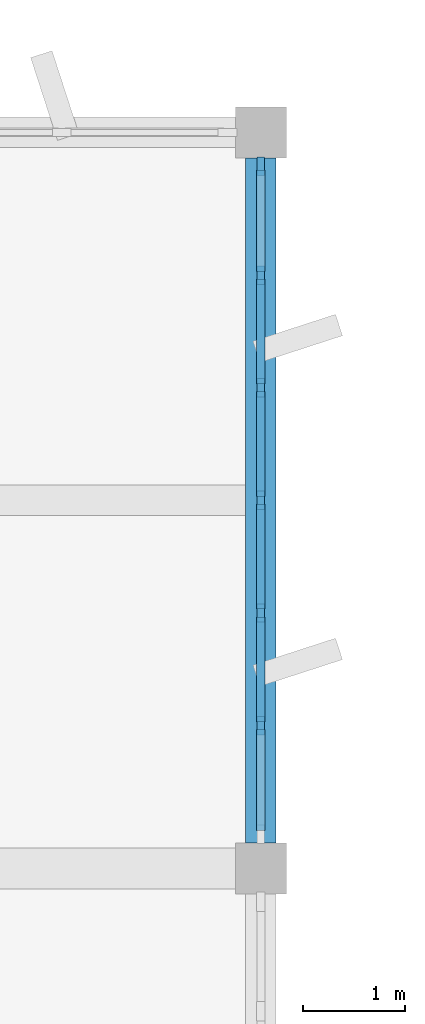
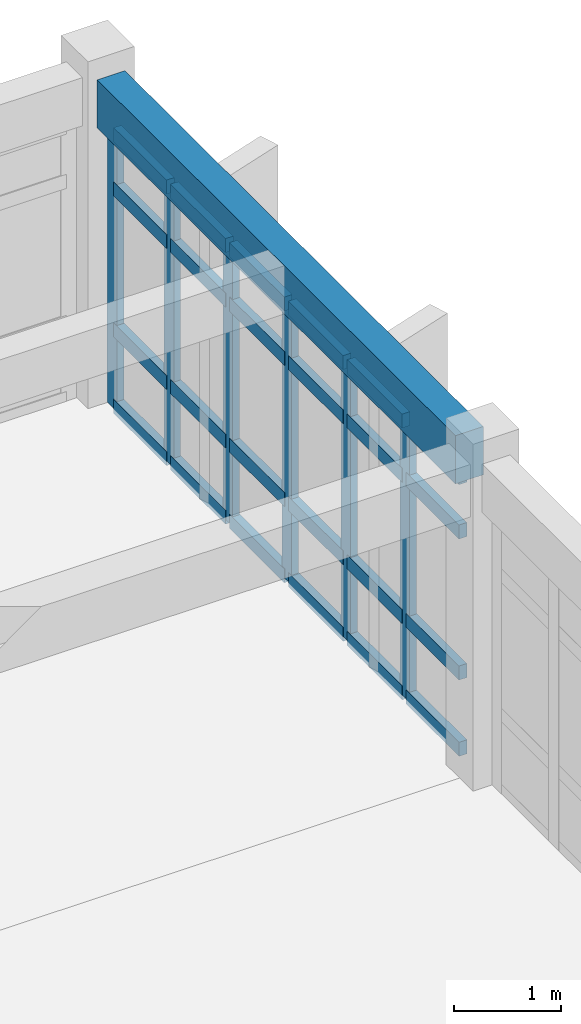
# One storey, part 20 of 40: 30 members, 1 beam, 1 element without a shape of its own.
"""IFC4 building model written with IfcOpenShell, lengths in metres."""

from ifc_helpers import new_model, si_unit, direction, frame, origin, origin_2d, place, context, subcontext, project, spatial, rectangle, extrude, material, layer, layer_set, material_profile, profile_set, type_object, element, aggregate, save


model = new_model("IFC4")

# Units and contexts
model_context = context("Model", 3, precision=1e-05, world=origin(), true_north=direction((0.0, 1.0)))
body_context = subcontext(model_context, "Body", "Model", "MODEL_VIEW")
ifc_project = project(units=[si_unit("LENGTHUNIT", "METRE"), si_unit("AREAUNIT", "SQUARE_METRE"), si_unit("VOLUMEUNIT", "CUBIC_METRE"), si_unit("PLANEANGLEUNIT", "RADIAN"), si_unit("MASSUNIT", "GRAM", prefix="KILO")], contexts=[model_context])

# Site, building, storey
site_placement = place(None, origin())
site = spatial("IfcSite", under=ifc_project, at=site_placement, CompositionType="ELEMENT")
building_placement = place(site_placement, origin())
building = spatial("IfcBuilding", under=site, at=building_placement, Name="Kavelor Marine Aquarium", CompositionType="ELEMENT")
storey_placement = place(building_placement, frame((0.0, 0.0, 17.639892578125)))
storey = spatial("IfcBuildingStorey", under=building, at=storey_placement, Name="L04", CompositionType="ELEMENT", Elevation=17.639892578125)

# Beam
ifc_material_1 = material(Name="Concrete C40/50", Category="concrete")
ifc_material_profile_1 = material_profile(ifc_material_1, rectangle(XDim=0.300048828125, YDim=0.550048828125, at=origin_2d()), Name="RC-SP 300x550")
ifc_profile_set_1 = profile_set([ifc_material_profile_1], Name="Concrete C40/50")
beam_type = type_object("IfcBeamType", Name="BM-SP2", PredefinedType="SPANDREL", material=ifc_profile_set_1)
beam_placement = place(storey_placement, frame((147.199951171875, 103.85009765625, 3.445068359375), z_axis=(0.0, 1.0, 0.0), x_axis=(-1.0, 0.0, 0.0)))
element("IfcBeam", 1, at=beam_placement, inside=storey, type_object=beam_type, Name="bm:y:L04:L05:20_14", PredefinedType="SPANDREL", context=body_context, shape_type="SweptSolid", body=[
    extrude(rectangle(XDim=0.300048828125, YDim=0.550048828125, at=origin_2d()), origin(), (0.0, 0.0, 1.0), 6.699951171875),
])

# Curtain wall, members
ifc_material_2 = material(Name="Thermally Broken Aluminium and Low-E Glass", Category="aluminium")
ifc_layer = layer(ifc_material_2, 0.172119140625)
ifc_layer_set = layer_set([ifc_layer], Name="CW-SYS4")
curtain_wall_type = type_object("IfcCurtainWallType", Name="CW-SYS4", PredefinedType="USERDEFINED", material=ifc_layer_set)
curtain_wall_placement = place(storey_placement, origin())
curtain_wall = element("IfcCurtainWall", 2, at=curtain_wall_placement, inside=storey, type_object=curtain_wall_type, Name="cw:y:L04:20_14", ObjectType="Curtain Wall", PredefinedType="USERDEFINED")
ifc_material_3 = material(Name="Anodised Aluminium Alloy 6063-T6", Category="aluminium")
ifc_material_profile_2 = material_profile(ifc_material_3, rectangle(XDim=0.074951171875, YDim=0.179931640625, at=origin_2d()), Name="CW-MUL 75x180")
ifc_profile_set_2 = profile_set([ifc_material_profile_2], Name="Anodised Aluminium Alloy 6063-T6")
member_type_1 = type_object("IfcMemberType", Name="CWM-1", PredefinedType="MULLION", material=ifc_profile_set_2)
member_1_placement = place(storey_placement, frame((147.199951171875, 104.99658203125, 0.0), z_axis=(0.0, 0.0, 1.0), x_axis=(-1.0, 0.0, 0.0)))
member_1 = element("IfcMember", 3, at=member_1_placement, type_object=member_type_1, Name="CW04 mullion 2", PredefinedType="MULLION", context=body_context, shape_type="SweptSolid", body=[
    extrude(rectangle(XDim=0.074951171875, YDim=0.179931640625, at=origin_2d()), origin(), (0.0, 0.0, 1.0), 3.16015625),
])
member_2_placement = place(storey_placement, frame((147.199951171875, 106.098388671875, 0.0), z_axis=(0.0, 0.0, 1.0), x_axis=(-1.0, 0.0, 0.0)))
member_2 = element("IfcMember", 4, at=member_2_placement, type_object=member_type_1, Name="CW04 mullion 3", PredefinedType="MULLION", context=body_context, shape_type="SweptSolid", body=[
    extrude(rectangle(XDim=0.074951171875, YDim=0.179931640625, at=origin_2d()), origin(), (0.0, 0.0, 1.0), 3.16015625),
])
member_3_placement = place(storey_placement, frame((147.199951171875, 107.199951171875, 0.0), z_axis=(0.0, 0.0, 1.0), x_axis=(-1.0, 0.0, 0.0)))
member_3 = element("IfcMember", 5, at=member_3_placement, type_object=member_type_1, Name="CW04 mullion 4", PredefinedType="MULLION", context=body_context, shape_type="SweptSolid", body=[
    extrude(rectangle(XDim=0.074951171875, YDim=0.179931640625, at=origin_2d()), origin(), (0.0, 0.0, 1.0), 3.16015625),
])
member_4_placement = place(storey_placement, frame((147.199951171875, 108.3017578125, 0.0), z_axis=(0.0, 0.0, 1.0), x_axis=(-1.0, 0.0, 0.0)))
member_4 = element("IfcMember", 6, at=member_4_placement, type_object=member_type_1, Name="CW04 mullion 5", PredefinedType="MULLION", context=body_context, shape_type="SweptSolid", body=[
    extrude(rectangle(XDim=0.074951171875, YDim=0.179931640625, at=origin_2d()), origin(), (0.0, 0.0, 1.0), 3.16015625),
])
member_5_placement = place(storey_placement, frame((147.199951171875, 109.4033203125, 0.0), z_axis=(0.0, 0.0, 1.0), x_axis=(-1.0, 0.0, 0.0)))
member_5 = element("IfcMember", 7, at=member_5_placement, type_object=member_type_1, Name="CW04 mullion 6", PredefinedType="MULLION", context=body_context, shape_type="SweptSolid", body=[
    extrude(rectangle(XDim=0.074951171875, YDim=0.179931640625, at=origin_2d()), origin(), (0.0, 0.0, 1.0), 3.16015625),
])
member_6_placement = place(storey_placement, frame((147.199951171875, 110.467529296875, 0.0), z_axis=(0.0, 0.0, 1.0), x_axis=(-1.0, 0.0, 0.0)))
member_6 = element("IfcMember", 8, at=member_6_placement, type_object=member_type_1, Name="CW04 mullion 7", PredefinedType="MULLION", context=body_context, shape_type="SweptSolid", body=[
    extrude(rectangle(XDim=0.074951171875, YDim=0.179931640625, at=origin_2d()), origin(), (0.0, 0.0, 1.0), 3.16015625),
])
ifc_material_4 = material(Name="Anodised Aluminium Alloy 6063-T6", Category="aluminium")
ifc_material_profile_3 = material_profile(ifc_material_4, rectangle(XDim=0.0849609375, YDim=0.159912109375, at=origin_2d()), Name="CW-TRN 85x160")
ifc_profile_set_3 = profile_set([ifc_material_profile_3], Name="Anodised Aluminium Alloy 6063-T6")
member_type_2 = type_object("IfcMemberType", Name="CWT-3", PredefinedType="USERDEFINED", material=ifc_profile_set_3)
member_7_placement = place(storey_placement, frame((147.199951171875, 103.969970703125, 0.030029296875), z_axis=(0.0, 1.0, 0.0), x_axis=(-1.0, 0.0, 0.0)))
member_7 = element("IfcMember", 9, at=member_7_placement, type_object=member_type_2, Name="CW04 transom 1.1", ObjectType="TRANSOM", PredefinedType="USERDEFINED", context=body_context, shape_type="SweptSolid", body=[
    extrude(rectangle(XDim=0.0849609375, YDim=0.159912109375, at=origin_2d()), origin(), (0.0, 0.0, 1.0), 0.9892578125),
])
member_8_placement = place(storey_placement, frame((147.199951171875, 103.969970703125, 0.900146484375), z_axis=(0.0, 1.0, 0.0), x_axis=(-1.0, 0.0, 0.0)))
member_8 = element("IfcMember", 10, at=member_8_placement, type_object=member_type_2, Name="CW04 transom 1.2", ObjectType="TRANSOM", PredefinedType="USERDEFINED", context=body_context, shape_type="SweptSolid", body=[
    extrude(rectangle(XDim=0.0849609375, YDim=0.159912109375, at=origin_2d()), origin(), (0.0, 0.0, 1.0), 0.9892578125),
])
member_9_placement = place(storey_placement, frame((147.199951171875, 103.969970703125, 2.510009765625), z_axis=(0.0, 1.0, 0.0), x_axis=(-1.0, 0.0, 0.0)))
member_9 = element("IfcMember", 11, at=member_9_placement, type_object=member_type_2, Name="CW04 transom 1.3", ObjectType="TRANSOM", PredefinedType="USERDEFINED", context=body_context, shape_type="SweptSolid", body=[
    extrude(rectangle(XDim=0.0849609375, YDim=0.159912109375, at=origin_2d()), origin(), (0.0, 0.0, 1.0), 0.9892578125),
])
member_10_placement = place(storey_placement, frame((147.199951171875, 103.969970703125, 3.130126953125), z_axis=(0.0, 1.0, 0.0), x_axis=(-1.0, 0.0, 0.0)))
member_10 = element("IfcMember", 12, at=member_10_placement, type_object=member_type_2, Name="CW04 transom 1.4", ObjectType="TRANSOM", PredefinedType="USERDEFINED", context=body_context, shape_type="SweptSolid", body=[
    extrude(rectangle(XDim=0.0849609375, YDim=0.159912109375, at=origin_2d()), origin(), (0.0, 0.0, 1.0), 0.9892578125),
])
member_11_placement = place(storey_placement, frame((147.199951171875, 105.0341796875, 0.030029296875), z_axis=(0.0, 1.0, 0.0), x_axis=(-1.0, 0.0, 0.0)))
member_11 = element("IfcMember", 13, at=member_11_placement, type_object=member_type_2, Name="CW04 transom 2.1", ObjectType="TRANSOM", PredefinedType="USERDEFINED", context=body_context, shape_type="SweptSolid", body=[
    extrude(rectangle(XDim=0.0849609375, YDim=0.159912109375, at=origin_2d()), origin(), (0.0, 0.0, 1.0), 1.026611328125),
])
member_12_placement = place(storey_placement, frame((147.199951171875, 105.0341796875, 0.900146484375), z_axis=(0.0, 1.0, 0.0), x_axis=(-1.0, 0.0, 0.0)))
member_12 = element("IfcMember", 14, at=member_12_placement, type_object=member_type_2, Name="CW04 transom 2.2", ObjectType="TRANSOM", PredefinedType="USERDEFINED", context=body_context, shape_type="SweptSolid", body=[
    extrude(rectangle(XDim=0.0849609375, YDim=0.159912109375, at=origin_2d()), origin(), (0.0, 0.0, 1.0), 1.026611328125),
])
member_13_placement = place(storey_placement, frame((147.199951171875, 105.0341796875, 2.510009765625), z_axis=(0.0, 1.0, 0.0), x_axis=(-1.0, 0.0, 0.0)))
member_13 = element("IfcMember", 15, at=member_13_placement, type_object=member_type_2, Name="CW04 transom 2.3", ObjectType="TRANSOM", PredefinedType="USERDEFINED", context=body_context, shape_type="SweptSolid", body=[
    extrude(rectangle(XDim=0.0849609375, YDim=0.159912109375, at=origin_2d()), origin(), (0.0, 0.0, 1.0), 1.026611328125),
])
member_14_placement = place(storey_placement, frame((147.199951171875, 105.0341796875, 3.130126953125), z_axis=(0.0, 1.0, 0.0), x_axis=(-1.0, 0.0, 0.0)))
member_14 = element("IfcMember", 16, at=member_14_placement, type_object=member_type_2, Name="CW04 transom 2.4", ObjectType="TRANSOM", PredefinedType="USERDEFINED", context=body_context, shape_type="SweptSolid", body=[
    extrude(rectangle(XDim=0.0849609375, YDim=0.159912109375, at=origin_2d()), origin(), (0.0, 0.0, 1.0), 1.026611328125),
])
member_15_placement = place(storey_placement, frame((147.199951171875, 106.1357421875, 0.030029296875), z_axis=(0.0, 1.0, 0.0), x_axis=(-1.0, 0.0, 0.0)))
member_15 = element("IfcMember", 17, at=member_15_placement, type_object=member_type_2, Name="CW04 transom 3.1", ObjectType="TRANSOM", PredefinedType="USERDEFINED", context=body_context, shape_type="SweptSolid", body=[
    extrude(rectangle(XDim=0.0849609375, YDim=0.159912109375, at=origin_2d()), origin(), (0.0, 0.0, 1.0), 1.02685546875),
])
member_16_placement = place(storey_placement, frame((147.199951171875, 106.1357421875, 0.900146484375), z_axis=(0.0, 1.0, 0.0), x_axis=(-1.0, 0.0, 0.0)))
member_16 = element("IfcMember", 18, at=member_16_placement, type_object=member_type_2, Name="CW04 transom 3.2", ObjectType="TRANSOM", PredefinedType="USERDEFINED", context=body_context, shape_type="SweptSolid", body=[
    extrude(rectangle(XDim=0.0849609375, YDim=0.159912109375, at=origin_2d()), origin(), (0.0, 0.0, 1.0), 1.02685546875),
])
member_17_placement = place(storey_placement, frame((147.199951171875, 106.1357421875, 2.510009765625), z_axis=(0.0, 1.0, 0.0), x_axis=(-1.0, 0.0, 0.0)))
member_17 = element("IfcMember", 19, at=member_17_placement, type_object=member_type_2, Name="CW04 transom 3.3", ObjectType="TRANSOM", PredefinedType="USERDEFINED", context=body_context, shape_type="SweptSolid", body=[
    extrude(rectangle(XDim=0.0849609375, YDim=0.159912109375, at=origin_2d()), origin(), (0.0, 0.0, 1.0), 1.02685546875),
])
member_18_placement = place(storey_placement, frame((147.199951171875, 106.1357421875, 3.130126953125), z_axis=(0.0, 1.0, 0.0), x_axis=(-1.0, 0.0, 0.0)))
member_18 = element("IfcMember", 20, at=member_18_placement, type_object=member_type_2, Name="CW04 transom 3.4", ObjectType="TRANSOM", PredefinedType="USERDEFINED", context=body_context, shape_type="SweptSolid", body=[
    extrude(rectangle(XDim=0.0849609375, YDim=0.159912109375, at=origin_2d()), origin(), (0.0, 0.0, 1.0), 1.02685546875),
])
member_19_placement = place(storey_placement, frame((147.199951171875, 107.237548828125, 0.030029296875), z_axis=(0.0, 1.0, 0.0), x_axis=(-1.0, 0.0, 0.0)))
member_19 = element("IfcMember", 21, at=member_19_placement, type_object=member_type_2, Name="CW04 transom 4.1", ObjectType="TRANSOM", PredefinedType="USERDEFINED", context=body_context, shape_type="SweptSolid", body=[
    extrude(rectangle(XDim=0.0849609375, YDim=0.159912109375, at=origin_2d()), origin(), (0.0, 0.0, 1.0), 1.026611328125),
])
member_20_placement = place(storey_placement, frame((147.199951171875, 107.237548828125, 0.900146484375), z_axis=(0.0, 1.0, 0.0), x_axis=(-1.0, 0.0, 0.0)))
member_20 = element("IfcMember", 22, at=member_20_placement, type_object=member_type_2, Name="CW04 transom 4.2", ObjectType="TRANSOM", PredefinedType="USERDEFINED", context=body_context, shape_type="SweptSolid", body=[
    extrude(rectangle(XDim=0.0849609375, YDim=0.159912109375, at=origin_2d()), origin(), (0.0, 0.0, 1.0), 1.026611328125),
])
member_21_placement = place(storey_placement, frame((147.199951171875, 107.237548828125, 2.510009765625), z_axis=(0.0, 1.0, 0.0), x_axis=(-1.0, 0.0, 0.0)))
member_21 = element("IfcMember", 23, at=member_21_placement, type_object=member_type_2, Name="CW04 transom 4.3", ObjectType="TRANSOM", PredefinedType="USERDEFINED", context=body_context, shape_type="SweptSolid", body=[
    extrude(rectangle(XDim=0.0849609375, YDim=0.159912109375, at=origin_2d()), origin(), (0.0, 0.0, 1.0), 1.026611328125),
])
member_22_placement = place(storey_placement, frame((147.199951171875, 107.237548828125, 3.130126953125), z_axis=(0.0, 1.0, 0.0), x_axis=(-1.0, 0.0, 0.0)))
member_22 = element("IfcMember", 24, at=member_22_placement, type_object=member_type_2, Name="CW04 transom 4.4", ObjectType="TRANSOM", PredefinedType="USERDEFINED", context=body_context, shape_type="SweptSolid", body=[
    extrude(rectangle(XDim=0.0849609375, YDim=0.159912109375, at=origin_2d()), origin(), (0.0, 0.0, 1.0), 1.026611328125),
])
member_23_placement = place(storey_placement, frame((147.199951171875, 108.339111328125, 0.030029296875), z_axis=(0.0, 1.0, 0.0), x_axis=(-1.0, 0.0, 0.0)))
member_23 = element("IfcMember", 25, at=member_23_placement, type_object=member_type_2, Name="CW04 transom 5.1", ObjectType="TRANSOM", PredefinedType="USERDEFINED", context=body_context, shape_type="SweptSolid", body=[
    extrude(rectangle(XDim=0.0849609375, YDim=0.159912109375, at=origin_2d()), origin(), (0.0, 0.0, 1.0), 1.026611328125),
])
member_24_placement = place(storey_placement, frame((147.199951171875, 108.339111328125, 0.900146484375), z_axis=(0.0, 1.0, 0.0), x_axis=(-1.0, 0.0, 0.0)))
member_24 = element("IfcMember", 26, at=member_24_placement, type_object=member_type_2, Name="CW04 transom 5.2", ObjectType="TRANSOM", PredefinedType="USERDEFINED", context=body_context, shape_type="SweptSolid", body=[
    extrude(rectangle(XDim=0.0849609375, YDim=0.159912109375, at=origin_2d()), origin(), (0.0, 0.0, 1.0), 1.026611328125),
])
member_25_placement = place(storey_placement, frame((147.199951171875, 108.339111328125, 2.510009765625), z_axis=(0.0, 1.0, 0.0), x_axis=(-1.0, 0.0, 0.0)))
member_25 = element("IfcMember", 27, at=member_25_placement, type_object=member_type_2, Name="CW04 transom 5.3", ObjectType="TRANSOM", PredefinedType="USERDEFINED", context=body_context, shape_type="SweptSolid", body=[
    extrude(rectangle(XDim=0.0849609375, YDim=0.159912109375, at=origin_2d()), origin(), (0.0, 0.0, 1.0), 1.026611328125),
])
member_26_placement = place(storey_placement, frame((147.199951171875, 108.339111328125, 3.130126953125), z_axis=(0.0, 1.0, 0.0), x_axis=(-1.0, 0.0, 0.0)))
member_26 = element("IfcMember", 28, at=member_26_placement, type_object=member_type_2, Name="CW04 transom 5.4", ObjectType="TRANSOM", PredefinedType="USERDEFINED", context=body_context, shape_type="SweptSolid", body=[
    extrude(rectangle(XDim=0.0849609375, YDim=0.159912109375, at=origin_2d()), origin(), (0.0, 0.0, 1.0), 1.026611328125),
])
member_27_placement = place(storey_placement, frame((147.199951171875, 109.44091796875, 0.030029296875), z_axis=(0.0, 1.0, 0.0), x_axis=(-1.0, 0.0, 0.0)))
member_27 = element("IfcMember", 29, at=member_27_placement, type_object=member_type_2, Name="CW04 transom 6.1", ObjectType="TRANSOM", PredefinedType="USERDEFINED", context=body_context, shape_type="SweptSolid", body=[
    extrude(rectangle(XDim=0.0849609375, YDim=0.159912109375, at=origin_2d()), origin(), (0.0, 0.0, 1.0), 0.989013671875),
])
member_28_placement = place(storey_placement, frame((147.199951171875, 109.44091796875, 0.900146484375), z_axis=(0.0, 1.0, 0.0), x_axis=(-1.0, 0.0, 0.0)))
member_28 = element("IfcMember", 30, at=member_28_placement, type_object=member_type_2, Name="CW04 transom 6.2", ObjectType="TRANSOM", PredefinedType="USERDEFINED", context=body_context, shape_type="SweptSolid", body=[
    extrude(rectangle(XDim=0.0849609375, YDim=0.159912109375, at=origin_2d()), origin(), (0.0, 0.0, 1.0), 0.989013671875),
])
member_29_placement = place(storey_placement, frame((147.199951171875, 109.44091796875, 2.510009765625), z_axis=(0.0, 1.0, 0.0), x_axis=(-1.0, 0.0, 0.0)))
member_29 = element("IfcMember", 31, at=member_29_placement, type_object=member_type_2, Name="CW04 transom 6.3", ObjectType="TRANSOM", PredefinedType="USERDEFINED", context=body_context, shape_type="SweptSolid", body=[
    extrude(rectangle(XDim=0.0849609375, YDim=0.159912109375, at=origin_2d()), origin(), (0.0, 0.0, 1.0), 0.989013671875),
])
member_30_placement = place(storey_placement, frame((147.199951171875, 109.44091796875, 3.130126953125), z_axis=(0.0, 1.0, 0.0), x_axis=(-1.0, 0.0, 0.0)))
member_30 = element("IfcMember", 32, at=member_30_placement, type_object=member_type_2, Name="CW04 transom 6.4", ObjectType="TRANSOM", PredefinedType="USERDEFINED", context=body_context, shape_type="SweptSolid", body=[
    extrude(rectangle(XDim=0.0849609375, YDim=0.159912109375, at=origin_2d()), origin(), (0.0, 0.0, 1.0), 0.989013671875),
])
aggregate(curtain_wall, [member_1, member_2, member_3, member_4, member_5, member_6, member_7, member_8, member_9, member_10, member_11, member_12, member_13, member_14, member_15, member_16, member_17, member_18, member_19, member_20, member_21, member_22, member_23, member_24, member_25, member_26, member_27, member_28, member_29, member_30])

save(model, "model.ifc")
